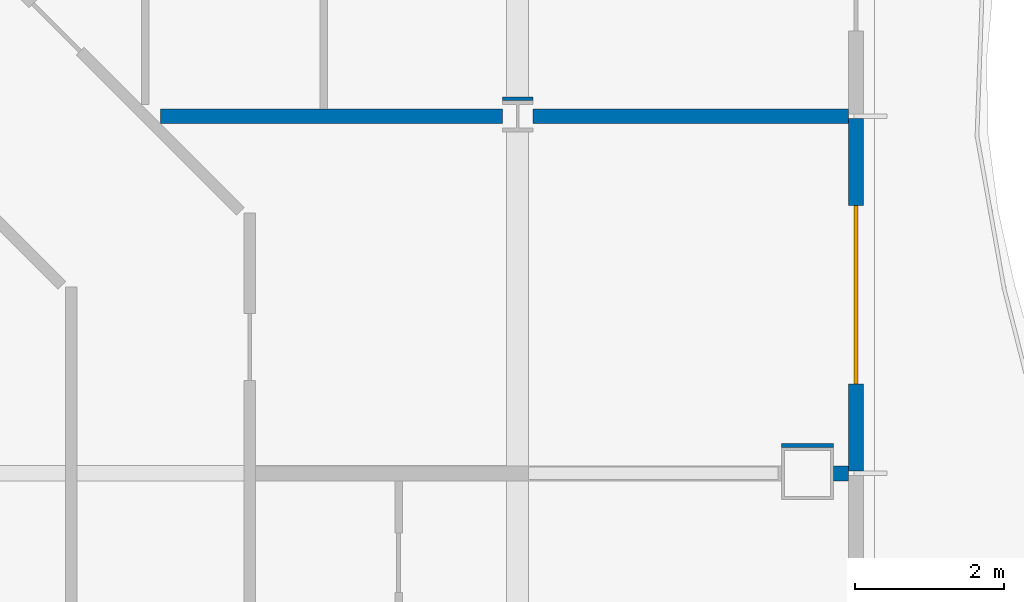
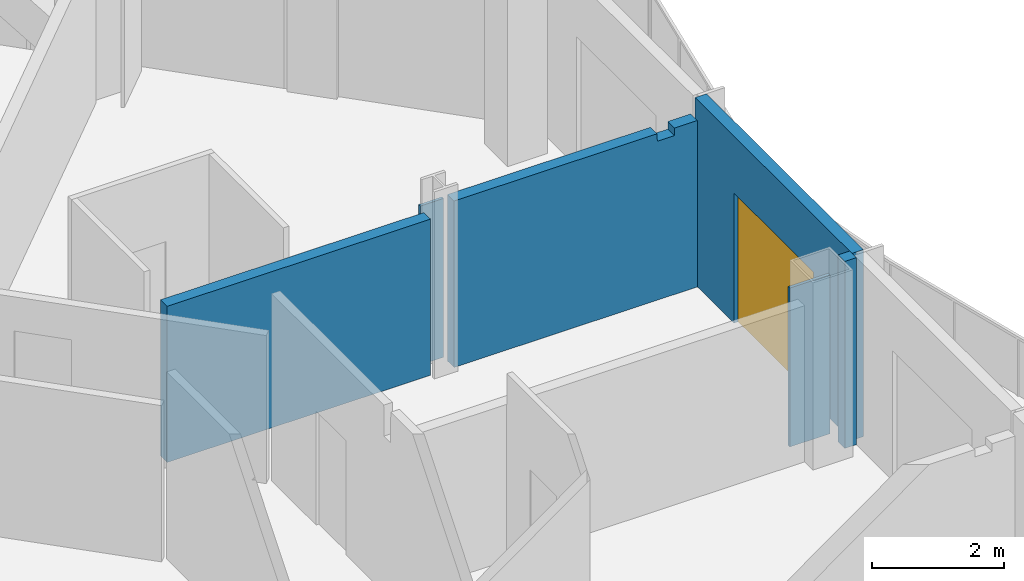
# One storey, part 13 of 24: 6 walls, 1 door, 1 opening.
"""IFC4 building model written with IfcOpenShell, lengths in metres."""

import ifcopenshell
import ifcopenshell.guid

model = None  # the IFC model being written
_history = None  # IfcOwnerHistory: only IFC2X3 demands one
_inside = {}  # id of a spatial element -> (the spatial element, [elements in it])
_under = {}  # id of a project, library or spatial element -> (it, [spatial elements below it])
_declared = {}  # id of a project -> (the project, [libraries it declares])
_typed = {}  # id of a type object -> (the type object, [elements of that type])
_made_of = {}  # id of a material, layer set ... -> (it, [elements and type objects made of it])


def new_model(schema):
    """Start an empty IFC model of exactly this schema.

    Asked for "IFC4X3", IfcOpenShell would pick the latest addendum, in which some entities
    have other attributes; the version numbers below select the first issue.
    IFC2X3 requires an IfcOwnerHistory on every rooted entity: one is made here for all.
    """
    global model, _history
    if schema == "IFC4X3":
        model = ifcopenshell.file(schema_version=(4, 3, 0, 0))
    else:
        model = ifcopenshell.file(schema=schema)
    _inside.clear()
    _under.clear()
    _declared.clear()
    _typed.clear()
    _made_of.clear()
    _history = None
    if model.schema == "IFC2X3":
        org = make("IfcOrganization", Name="unknown")
        user = make(
            "IfcPersonAndOrganization",
            ThePerson=make("IfcPerson", FamilyName="unknown"),
            TheOrganization=org,
        )
        app = make(
            "IfcApplication",
            ApplicationDeveloper=org,
            Version="unknown",
            ApplicationFullName="unknown",
            ApplicationIdentifier="unknown",
        )
        _history = make(
            "IfcOwnerHistory",
            OwningUser=user,
            OwningApplication=app,
            ChangeAction="ADDED",
            CreationDate=0,
        )
    return model


def make(cls, **values):
    """One entity of the class cls with the attributes given. An attribute that is None is left unset."""
    return model.create_entity(
        cls, **{name: value for name, value in values.items() if value is not None}
    )


def rooted(cls, **values):
    """An entity with a GlobalId (a new one), such as an element, a storey or a relation."""
    return make(cls, GlobalId=ifcopenshell.guid.new(), OwnerHistory=_history, **values)


def si_unit(unit_type, name, prefix=None):
    """IfcSIUnit, for example si_unit("LENGTHUNIT", "METRE", prefix="MILLI")."""
    return make("IfcSIUnit", UnitType=unit_type, Prefix=prefix, Name=name)


def assignment(units):
    """IfcUnitAssignment: the units of a project."""
    return None if units is None else make("IfcUnitAssignment", Units=units)


def point(xyz):
    """IfcCartesianPoint."""
    return None if xyz is None else make("IfcCartesianPoint", Coordinates=xyz)


def direction(xyz):
    """IfcDirection."""
    return None if xyz is None else make("IfcDirection", DirectionRatios=xyz)


def frame(location, z_axis=None, x_axis=None):
    """IfcAxis2Placement3D, a coordinate frame: its origin and axes. An axis left out is left unset."""
    return make(
        "IfcAxis2Placement3D",
        Location=point(location),
        Axis=direction(z_axis),
        RefDirection=direction(x_axis),
    )


def frame_2d(location, x_axis=None):
    """IfcAxis2Placement2D, a coordinate frame in the plane: its origin and x axis."""
    return make(
        "IfcAxis2Placement2D", Location=point(location), RefDirection=direction(x_axis)
    )


def origin():
    """The frame at (0, 0, 0) with its axes left unset."""
    return frame((0.0, 0.0, 0.0))


def place(relative_to, where):
    """IfcLocalPlacement: puts the frame where relative to a parent placement (None: the world)."""
    return make(
        "IfcLocalPlacement", PlacementRelTo=relative_to, RelativePlacement=where
    )


def context(
    kind, dimensions, precision=None, world=None, true_north=None, identifier=None
):
    """IfcGeometricRepresentationContext, for example the 3D "Model" context."""
    return make(
        "IfcGeometricRepresentationContext",
        ContextIdentifier=identifier,
        ContextType=kind,
        CoordinateSpaceDimension=dimensions,
        Precision=precision,
        WorldCoordinateSystem=world,
        TrueNorth=true_north,
    )


def subcontext(parent, identifier, kind, view, scale=None):
    """IfcGeometricRepresentationSubContext, for example "Body" below "Model"."""
    return make(
        "IfcGeometricRepresentationSubContext",
        ContextIdentifier=identifier,
        ContextType=kind,
        ParentContext=parent,
        TargetScale=scale,
        TargetView=view,
    )


def project(units=None, contexts=None):
    """IfcProject with its units and contexts."""
    return rooted(
        "IfcProject",
        Name="project",
        RepresentationContexts=contexts,
        UnitsInContext=assignment(units),
    )


def spatial(cls, under=None, at=None, **own):
    """A site, building, storey or space (cls), placed at a placement, below another one or the project."""
    s = rooted(cls, ObjectPlacement=at, **own)
    if under is not None:
        _under.setdefault(under.id(), (under, []))[1].append(s)
    return s


def polyline(points):
    """IfcPolyline through the points."""
    return make("IfcPolyline", Points=[point(p) for p in points])


def profile(cls, at=None, kind="AREA", **sizes):
    """A parametric profile (cls). Its sizes go by their IFC names, for example OverallWidth=200.0."""
    return make(cls, ProfileType=kind, Position=at, **sizes)


def rectangle(**sizes):
    """IfcRectangleProfileDef."""
    return profile("IfcRectangleProfileDef", **sizes)


def outline(outer, holes=None, kind="AREA"):
    """IfcArbitraryClosedProfileDef: a profile drawn as a closed curve; with holes, ...WithVoids."""
    if holes is None:
        return make("IfcArbitraryClosedProfileDef", ProfileType=kind, OuterCurve=outer)
    return make(
        "IfcArbitraryProfileDefWithVoids",
        ProfileType=kind,
        OuterCurve=outer,
        InnerCurves=holes,
    )


def extrude(swept, where, along, depth):
    """IfcExtrudedAreaSolid: the profile swept, set in the frame where, extruded along a direction by depth."""
    return make(
        "IfcExtrudedAreaSolid",
        SweptArea=swept,
        Position=where,
        ExtrudedDirection=direction(along),
        Depth=depth,
    )


def shape(context_of_items, identifier, shape_type, items):
    """IfcShapeRepresentation: the items that make up one representation, for example the "Body"."""
    return make(
        "IfcShapeRepresentation",
        ContextOfItems=context_of_items,
        RepresentationIdentifier=identifier,
        RepresentationType=shape_type,
        Items=items,
    )


def material(Name=None, Category=None):
    """IfcMaterial."""
    return make("IfcMaterial", Name=Name, Category=Category)


def layer(
    of_material, thickness, ventilated=None, Name=None, Category=None, Priority=None
):
    """IfcMaterialLayer: one layer of a wall or slab, of a material (None: an air gap)."""
    return make(
        "IfcMaterialLayer",
        Material=of_material,
        LayerThickness=thickness,
        IsVentilated=ventilated,
        Name=Name,
        Category=Category,
        Priority=Priority,
    )


def layer_set(layers, Name=None):
    """IfcMaterialLayerSet."""
    return make("IfcMaterialLayerSet", MaterialLayers=layers, LayerSetName=Name)


def made_of(thing, what):
    """Note that an element or type object is made of a material, layer set ...; save() writes the relation."""
    if what is not None:
        _made_of.setdefault(what.id(), (what, []))[1].append(thing)
    return thing


def type_object(cls, material=None, **own):
    """A type object (cls), such as IfcWallType, which elements share."""
    return made_of(rooted(cls, **own), material)


def element(
    cls,
    number,
    at=None,
    inside=None,
    cuts=None,
    type_object=None,
    material=None,
    context=None,
    identifier="Body",
    shape_type=None,
    held_by="IfcProductDefinitionShape",
    body=None,
    shapes=None,
    **own,
):
    """One element of the class cls, such as IfcWall. Its Tag is "e" and its number.

    at: its placement. inside: the storey or other place that contains it. cuts: it is an
    opening in that element (IfcRelVoidsElement). A single representation is given by context,
    identifier, shape_type and body (its items); several are given by shapes. held_by: the class
    of the entity that holds the representations. save() writes the other relations.
    """
    e = rooted(cls, Tag="e%d" % number, ObjectPlacement=at, **own)
    if body is not None:
        shapes = [shape(context, identifier, shape_type, body)]
    if shapes is not None:
        e.Representation = make(held_by, Representations=shapes)
    if inside is not None:
        _inside.setdefault(inside.id(), (inside, []))[1].append(e)
    if cuts is not None:
        rooted(
            "IfcRelVoidsElement", RelatingBuildingElement=cuts, RelatedOpeningElement=e
        )
    if type_object is not None:
        _typed.setdefault(type_object.id(), (type_object, []))[1].append(e)
    return made_of(e, material)


def fill(opening, filler):
    """IfcRelFillsElement: the door or window that sits in an opening."""
    return rooted(
        "IfcRelFillsElement",
        RelatingOpeningElement=opening,
        RelatedBuildingElement=filler,
    )


def aggregate(whole, parts):
    """IfcRelAggregates: a whole, such as a stair, and the parts it consists of."""
    return rooted("IfcRelAggregates", RelatingObject=whole, RelatedObjects=parts)


def save(model, path):
    """Write the relations noted so far, then the file.

    IfcRelAggregates (storeys below a building ...), IfcRelContainedInSpatialStructure (elements
    in a storey), IfcRelDefinesByType, IfcRelAssociatesMaterial and IfcRelDeclares: one each for
    every whole, place, type object, material and project.
    """
    for whole, parts in _under.values():
        aggregate(whole, parts)
    for where, things in _inside.values():
        rooted(
            "IfcRelContainedInSpatialStructure",
            RelatedElements=things,
            RelatingStructure=where,
        )
    for kind, things in _typed.values():
        rooted("IfcRelDefinesByType", RelatedObjects=things, RelatingType=kind)
    for what, things in _made_of.values():
        rooted("IfcRelAssociatesMaterial", RelatedObjects=things, RelatingMaterial=what)
    for by, libraries in _declared.values():
        rooted("IfcRelDeclares", RelatingContext=by, RelatedDefinitions=libraries)
    model.write(path)


model = new_model("IFC4")

# Units and contexts
model_context = context("Model", 3, precision=1e-05, world=origin(), true_north=direction((0.0, 1.0)))
body_context = subcontext(model_context, "Body", "Model", "MODEL_VIEW")
ifc_project = project(units=[si_unit("LENGTHUNIT", "METRE"), si_unit("AREAUNIT", "SQUARE_METRE"), si_unit("VOLUMEUNIT", "CUBIC_METRE"), si_unit("PLANEANGLEUNIT", "RADIAN"), si_unit("MASSUNIT", "GRAM", prefix="KILO")], contexts=[model_context])

# Site, building, storey
site_placement = place(None, origin())
site = spatial("IfcSite", under=ifc_project, at=site_placement, CompositionType="ELEMENT")
building_placement = place(site_placement, origin())
building = spatial("IfcBuilding", under=site, at=building_placement, Name="Cairn Pilgrim Tower", CompositionType="ELEMENT")
storey_placement = place(building_placement, frame((0.0, 0.0, 125.39990234375)))
storey = spatial("IfcBuildingStorey", under=building, at=storey_placement, Name="L30", CompositionType="ELEMENT", Elevation=125.39990234375)

# Wall, opening, door
ifc_material_1 = material(Name="Bronze anodised aluminium insulated sandwich panel with mineral wool fill", Category="aluminium")
ifc_layer_1 = layer(ifc_material_1, 0.199951171875)
ifc_layer_set_1 = layer_set([ifc_layer_1], Name="BRONZE INFILL FRAME WALL 200")
wall_type_1 = type_object("IfcWallType", Name="BRONZE INFILL FRAME WALL 200", PredefinedType="NOTDEFINED", material=ifc_layer_set_1)
wall_1_placement = place(storey_placement, frame((35.75, 4.830078125, 0.0), z_axis=(0.0, 0.0, 1.0), x_axis=(0.0, 1.0, 0.0)))
wall_1 = element("IfcWall", 1, at=wall_1_placement, inside=storey, type_object=wall_type_1, Name="Bronze infill frame wall IW-E3", PredefinedType="NOTDEFINED", context=body_context, shape_type="SweptSolid", body=[
    extrude(rectangle(XDim=4.739990234375, YDim=0.199951171875, at=frame_2d((2.3701171875, 0.0))), origin(), (0.0, 0.0, 1.0), 3.4501953125),
])
opening_placement = place(wall_1_placement, frame((1.169921875, 0.0, 0.0)))
opening = element("IfcOpeningElement", 2, at=opening_placement, cuts=wall_1, Name="Opening 3005B", PredefinedType="OPENING", context=body_context, shape_type="SweptSolid", body=[
    extrude(rectangle(XDim=2.39990234375, YDim=2.39990234375, at=frame_2d((1.199951171875, 1.199951171875))), frame((0.0, 0.10986328125, 0.0), z_axis=(0.0, -1.0, 0.0), x_axis=(1.0, 0.0, 0.0)), (0.0, 0.0, 1.0), 0.219970703125),
])
ifc_material_2 = material(Name="Bronze anodised aluminium frame with tinted low-E glass", Category="aluminium")
door_type = type_object("IfcDoorType", Name="BALCONY SLIDING DOOR 2400x2400", OperationType="DOUBLE_DOOR_SLIDING", PredefinedType="DOOR", material=ifc_material_2)
door_placement = place(opening_placement, origin())
door = element("IfcDoor", 3, at=door_placement, inside=storey, type_object=door_type, Name="Balcony sliding door 3005B", OperationType="SINGLE_SWING_LEFT", OverallHeight=2.39990234375, OverallWidth=2.39990234375, PredefinedType="DOOR", context=body_context, shape_type="SweptSolid", body=[
    extrude(rectangle(XDim=2.39990234375, YDim=2.39990234375, at=frame_2d((1.199951171875, 1.199951171875))), frame((0.0, 0.02490234375, 0.0), z_axis=(0.0, -1.0, 0.0), x_axis=(1.0, 0.0, 0.0)), (0.0, 0.0, 1.0), 0.050048828125),
])
fill(opening, door)

# Walls
ifc_material_3 = material(Name="Gypsum partition")
ifc_layer_2 = layer(ifc_material_3, 0.050048828125)
ifc_layer_set_2 = layer_set([ifc_layer_2], Name="PARTITION 50 DRYWALL EI 60")
wall_type_2 = type_object("IfcWallType", Name="PARTITION 50 DRYWALL EI 60", PredefinedType="PARTITIONING", material=ifc_layer_set_2)
wall_2_placement = place(storey_placement, frame((34.75, 5.175048828125, 0.0), z_axis=(0.0, 0.0, 1.0), x_axis=(1.0, 0.0, 0.0)))
element("IfcWall", 4, at=wall_2_placement, inside=storey, type_object=wall_type_2, Name="COLUMN CASING WC22", PredefinedType="PARTITIONING", context=body_context, shape_type="SweptSolid", body=[
    extrude(rectangle(XDim=0.699951171875, YDim=0.050048828125, at=frame_2d((0.35009765625, 0.0))), origin(), (0.0, 0.0, 1.0), 2.93017578125),
])
wall_3_placement = place(storey_placement, frame((30.99560546875, 9.83740234375, 0.0), z_axis=(0.0, 0.0, 1.0), x_axis=(1.0, 0.0, 0.0)))
element("IfcWall", 5, at=wall_3_placement, inside=storey, type_object=wall_type_2, Name="COLUMN CASING WC26", PredefinedType="PARTITIONING", context=body_context, shape_type="SweptSolid", body=[
    extrude(rectangle(XDim=0.408935546875, YDim=0.050048828125, at=frame_2d((0.20458984375, 0.0))), origin(), (0.0, 0.0, 1.0), 2.93017578125),
])
ifc_layer_3 = layer(ifc_material_3, 0.199951171875)
ifc_layer_set_3 = layer_set([ifc_layer_3], Name="SHAFT WALL 200 GYPSUM EI 60")
wall_type_3 = type_object("IfcWallType", Name="SHAFT WALL 200 GYPSUM EI 60", PredefinedType="PARTITIONING", material=ifc_layer_set_3)
wall_4_placement = place(storey_placement, frame((35.449951171875, 4.800048828125, 0.0), z_axis=(0.0, 0.0, 1.0), x_axis=(1.0, 0.0, 0.0)))
element("IfcWall", 6, at=wall_4_placement, inside=storey, type_object=wall_type_3, Name="PARTITION W049", PredefinedType="PARTITIONING", context=body_context, shape_type="SweptSolid", body=[
    extrude(rectangle(XDim=0.199951171875, YDim=0.199951171875, at=frame_2d((0.10009765625, 0.0))), origin(), (0.0, 0.0, 1.0), 3.4501953125),
])
wall_5_placement = place(storey_placement, frame((26.400146484375, 9.60009765625, 0.0), z_axis=(0.0, 0.0, 1.0), x_axis=(1.0, 0.0, 0.0)))
element("IfcWall", 7, at=wall_5_placement, inside=storey, type_object=wall_type_3, Name="PARTITION W056", PredefinedType="PARTITIONING", context=body_context, shape_type="SweptSolid", body=[
    extrude(rectangle(XDim=4.595458984375, YDim=0.199951171875, at=frame_2d((2.2978515625, 0.0))), origin(), (0.0, 0.0, 1.0), 2.880126953125),
])
wall_6_placement = place(storey_placement, frame((31.404541015625, 9.60009765625, 0.0), z_axis=(0.0, 0.0, 1.0), x_axis=(1.0, 0.0, 0.0)))
element("IfcWall", 8, at=wall_6_placement, inside=storey, type_object=wall_type_3, Name="PARTITION W057", PredefinedType="PARTITIONING", context=body_context, shape_type="SweptSolid", body=[
    extrude(outline(polyline([(0.0, 0.0), (4.245361328125, 0.0), (4.24560546875, 3.070068359375), (3.845458984375, 3.070068359375), (3.843505859375, 2.93017578125), (3.54541015625, 2.93017578125), (3.54345703125, 3.070068359375), (0.0, 3.070068359375), (0.0, 0.0)])), frame((0.0, 0.10009765625, 0.0), z_axis=(0.0, -1.0, 0.0), x_axis=(1.0, 0.0, 0.0)), (0.0, 0.0, 1.0), 0.199951171875),
])

save(model, "model.ifc")
